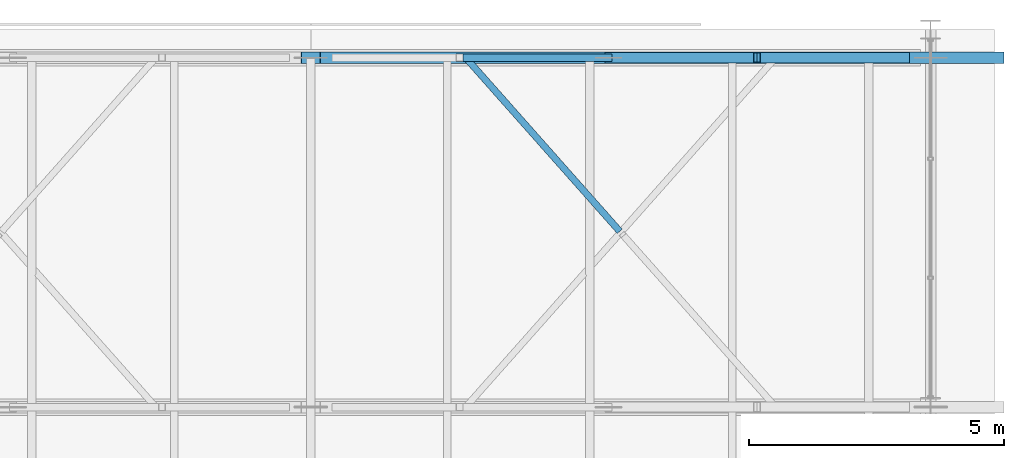
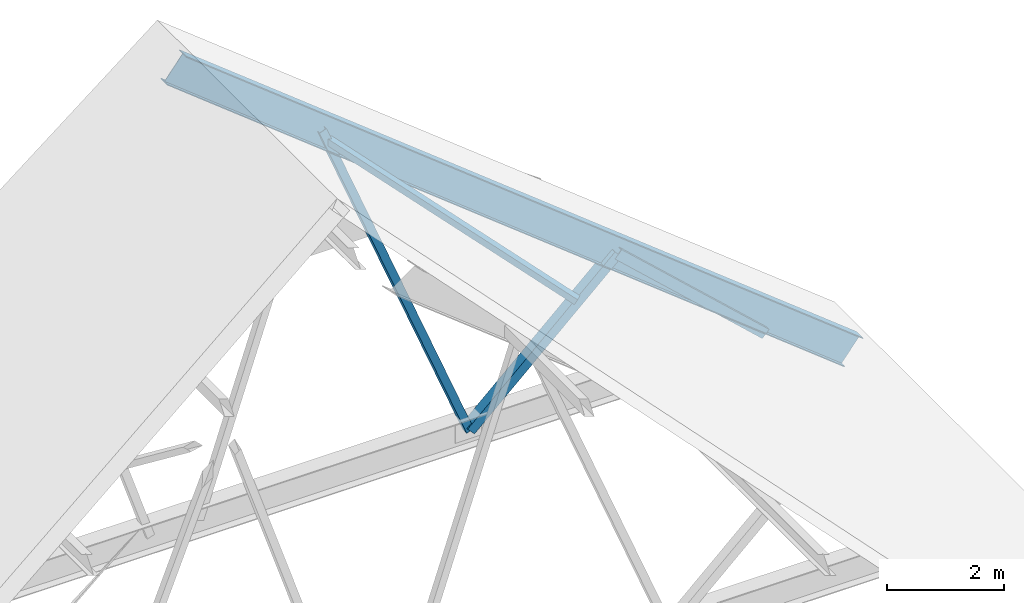
# One storey, part 39 of 44: 4 members, 1 beam.
"""IFC4 building model written with IfcOpenShell, lengths in metres."""

from ifc_helpers import new_model, si_unit, direction, frame, origin, origin_2d, place, context, subcontext, project, spatial, hollow_rectangle, i_section, extrude, material, material_profile, profile_set, type_object, element, save


model = new_model("IFC4")

# Units and contexts
model_context = context("Model", 3, precision=1e-05, world=origin(), true_north=direction((0.0, 1.0)))
body_context = subcontext(model_context, "Body", "Model", "MODEL_VIEW")
ifc_project = project(units=[si_unit("LENGTHUNIT", "METRE"), si_unit("AREAUNIT", "SQUARE_METRE"), si_unit("VOLUMEUNIT", "CUBIC_METRE"), si_unit("PLANEANGLEUNIT", "RADIAN"), si_unit("MASSUNIT", "GRAM", prefix="KILO")], contexts=[model_context])

# Site, building, storey
site_placement = place(None, origin())
site = spatial("IfcSite", under=ifc_project, at=site_placement, CompositionType="ELEMENT")
building_placement = place(site_placement, origin())
building = spatial("IfcBuilding", under=site, at=building_placement, Name="Cimatlan Art Gallery", CompositionType="ELEMENT")
storey_placement = place(building_placement, frame((0.0, 0.0, 26.39990234375)))
storey = spatial("IfcBuildingStorey", under=building, at=storey_placement, Name="Roof", CompositionType="ELEMENT", Elevation=26.39990234375)

# Beam
ifc_material_1 = material(Name="Steel ASTM A992 Grade 50", Category="steel")
ifc_material_profile_1 = material_profile(ifc_material_1, i_section(OverallWidth=0.22802734375, OverallDepth=0.60791015625, WebThickness=0.01123046875, FlangeThickness=0.017333984375, at=origin_2d()), Name="W24X76")
ifc_profile_set_1 = profile_set([ifc_material_profile_1], Name="Steel ASTM A992 Grade 50")
beam_type = type_object("IfcBeamType", Name="BM-TRS-RAF", PredefinedType="BEAM", material=ifc_profile_set_1)
beam_placement = place(storey_placement, frame((87.050048828125, 82.550048828125, 11.0), z_axis=(0.784632771217, 0.0, -0.619960816772), x_axis=(0.0, 1.0, 0.0)))
element("IfcBeam", 1, at=beam_placement, inside=storey, type_object=beam_type, Name="TRS-09-RAF-E", PredefinedType="BEAM", context=body_context, shape_type="SweptSolid", body=[
    extrude(i_section(OverallWidth=0.22802734375, OverallDepth=0.60791015625, WebThickness=0.01123046875, FlangeThickness=0.017333984375, at=origin_2d()), origin(), (0.0, 0.0, 1.0), 17.077880859375),
])

# Members
ifc_material_2 = material(Name="Steel ASTM A500 Grade C", Category="steel")
ifc_material_profile_2 = material_profile(ifc_material_2, hollow_rectangle(XDim=0.1298828125, YDim=0.1298828125, WallThickness=0.008056640625, at=origin_2d()), Name="HSS130X130X8")
ifc_profile_set_2 = profile_set([ifc_material_profile_2], Name="Steel ASTM A500 Grade C")
member_type_1 = type_object("IfcMemberType", Name="MBR-TRS-BRACE", PredefinedType="BRACE", material=ifc_profile_set_2)
member_1_placement = place(storey_placement, frame((93.0869140625, 79.16796875, 6.070068359375), z_axis=(-0.587654089215, 0.662605575281, 0.464345262746), x_axis=(-0.748153767817, -0.663525387382, 0.0)))
element("IfcMember", 2, at=member_1_placement, inside=storey, type_object=member_type_1, Name="BRC-V1-B8-E2B", PredefinedType="BRACE", context=body_context, shape_type="SweptSolid", body=[
    extrude(hollow_rectangle(XDim=0.1298828125, YDim=0.1298828125, WallThickness=0.008056640625, at=origin_2d()), origin(), (0.0, 0.0, 1.0), 5.104248046875),
])
ifc_material_profile_3 = material_profile(ifc_material_2, hollow_rectangle(XDim=0.199951171875, YDim=0.199951171875, WallThickness=0.010009765625, at=origin_2d()), Name="HSS200X200X10")
ifc_profile_set_3 = profile_set([ifc_material_profile_3], Name="Steel ASTM A500 Grade C")
member_type_2 = type_object("IfcMemberType", Name="MBR-TRS-DIAG-1", PredefinedType="BRACE", material=ifc_profile_set_3)
for number, where, z_axis, x_axis, name in (
    (3, (98.714111328125, 82.550048828125, 1.400146484375), (-0.735270574228, 0.0, 0.677773695768), (0.0, -1.0, 0.0), "TRS-09-DE-1"),
    (4, (95.798095703125, 82.550048828125, 4.088134765625), (-0.735270574228, 0.0, -0.677773695768), (0.0, -1.0, 0.0), "TRS-09-DE-2"),
):
    element("IfcMember", number, at=place(storey_placement, frame(where, z_axis=z_axis, x_axis=x_axis)), inside=storey, type_object=member_type_2, Name=name, PredefinedType="BRACE", context=body_context, shape_type="SweptSolid", body=[
        extrude(hollow_rectangle(XDim=0.199951171875, YDim=0.199951171875, WallThickness=0.010009765625, at=origin_2d()), origin(), (0.0, 0.0, 1.0), 3.9658203125),
    ])
ifc_material_profile_4 = material_profile(ifc_material_2, hollow_rectangle(XDim=0.14990234375, YDim=0.14990234375, WallThickness=0.008056640625, at=origin_2d()), Name="HSS150X150X8")
ifc_profile_set_4 = profile_set([ifc_material_profile_4], Name="Steel ASTM A500 Grade C")
member_type_3 = type_object("IfcMemberType", Name="MBR-TRS-DIAG-2", PredefinedType="BRACE", material=ifc_profile_set_4)
member_2_placement = place(storey_placement, frame((92.882080078125, 82.550048828125, 1.400146484375), z_axis=(-0.371133507913, 0.0, 0.928579516953), x_axis=(0.0, -1.0, 0.0)))
element("IfcMember", 5, at=member_2_placement, inside=storey, type_object=member_type_3, Name="TRS-09-DE-3", PredefinedType="BRACE", context=body_context, shape_type="SweptSolid", body=[
    extrude(hollow_rectangle(XDim=0.14990234375, YDim=0.14990234375, WallThickness=0.008056640625, at=origin_2d()), origin(), (0.0, 0.0, 1.0), 7.85693359375),
])

save(model, "model.ifc")
